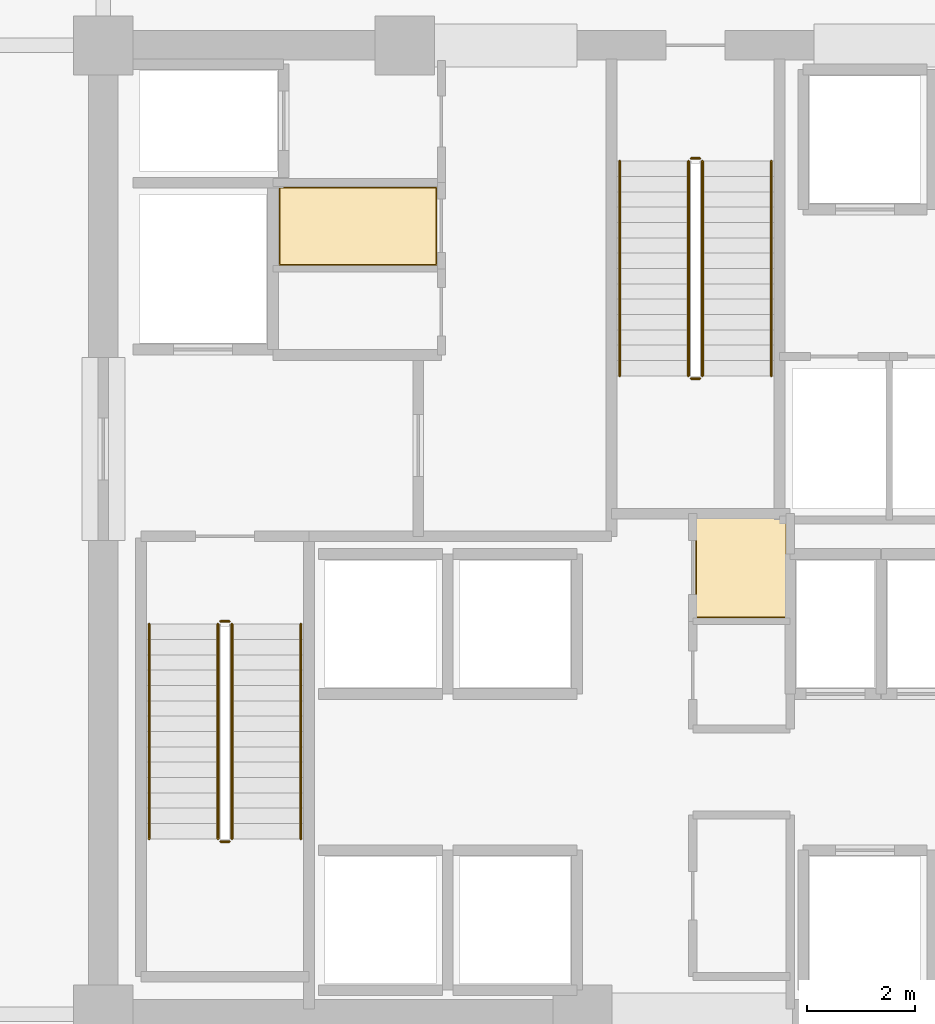
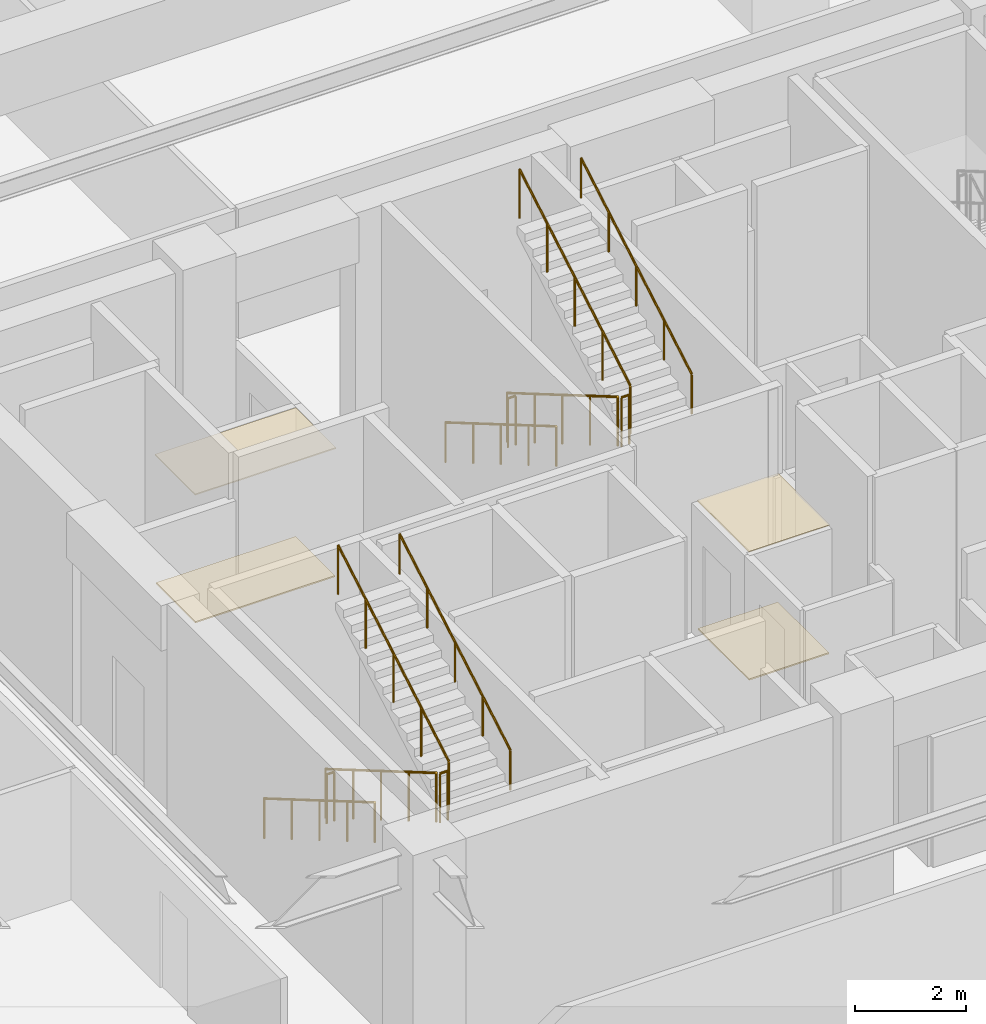
# One storey, part 17 of 20: 12 railings, 4 coverings.
"""IFC4 building model written with IfcOpenShell, lengths in metres."""

from ifc_helpers import new_model, si_unit, direction, frame, origin, origin_2d, place, context, subcontext, project, spatial, polyline, circle, outline, extrude, material, layer, layer_set, type_object, element, save


model = new_model("IFC4")

# Units and contexts
model_context = context("Model", 3, precision=1e-05, world=origin(), true_north=direction((0.0, 1.0)))
body_context = subcontext(model_context, "Body", "Model", "MODEL_VIEW")
ifc_project = project(units=[si_unit("LENGTHUNIT", "METRE"), si_unit("AREAUNIT", "SQUARE_METRE"), si_unit("VOLUMEUNIT", "CUBIC_METRE"), si_unit("PLANEANGLEUNIT", "RADIAN"), si_unit("MASSUNIT", "GRAM", prefix="KILO")], contexts=[model_context])

# Site, building, storey
site_placement = place(None, origin())
site = spatial("IfcSite", under=ifc_project, at=site_placement, CompositionType="ELEMENT")
building_placement = place(site_placement, origin())
building = spatial("IfcBuilding", under=site, at=building_placement, Name="Kovane Verandah Tower", CompositionType="ELEMENT")
storey_placement = place(building_placement, frame((0.0, 0.0, 123.39990234375)))
storey = spatial("IfcBuildingStorey", under=building, at=storey_placement, Name="L28", CompositionType="ELEMENT", Elevation=123.39990234375)

# Coverings
ifc_material_1 = material(Name="Perforated Acoustic Mineral-Fibre Ceiling Tile", Category="gypsum")
ifc_layer_1 = layer(ifc_material_1, 0.02490234375)
ifc_layer_set_1 = layer_set([ifc_layer_1], Name="Perforated Acoustic Mineral-Fibre Ceiling Tile")
covering_type_1 = type_object("IfcCoveringType", Name="CV-CEIL-25", PredefinedType="CEILING", material=ifc_layer_set_1)
covering_1_placement = place(storey_placement, frame((0.0, 0.0, 2.8251953125)))
element("IfcCovering", 1, at=covering_1_placement, inside=storey, type_object=covering_type_1, Name="L28 North-West First Aid Room Acoustic Ceiling", PredefinedType="CEILING", context=body_context, shape_type="SweptSolid", body=[
    extrude(outline(polyline([(32.264892578125, 32.4150390625), (35.195068359375, 32.4150390625), (35.195068359375, 33.864990234375), (32.264892578125, 33.864990234375), (32.264892578125, 32.4150390625)])), origin(), (0.0, 0.0, 1.0), 0.02490234375),
])
covering_2_placement = place(storey_placement, frame((0.0, 0.0, 2.8251953125)))
element("IfcCovering", 2, at=covering_2_placement, inside=storey, type_object=covering_type_1, Name="L28 Central First Aid and Wellness Room Acoustic Ceiling", PredefinedType="CEILING", context=body_context, shape_type="SweptSolid", body=[
    extrude(outline(polyline([(40.0048828125, 25.864990234375), (41.695068359375, 25.864990234375), (41.695068359375, 27.735107421875), (40.0048828125, 27.735107421875), (40.0048828125, 25.864990234375)])), origin(), (0.0, 0.0, 1.0), 0.02490234375),
])
ifc_material_2 = material(Name="Polished Terrazzo and Raised-Access Carpet Tile Finish", Category="concrete")
ifc_layer_2 = layer(ifc_material_2, 0.030029296875)
ifc_layer_set_2 = layer_set([ifc_layer_2], Name="Polished Terrazzo and Raised-Access Carpet Tile Finish")
covering_type_2 = type_object("IfcCoveringType", Name="CV-FLOR-30", PredefinedType="FLOORING", material=ifc_layer_set_2)
covering_3_placement = place(storey_placement, origin())
element("IfcCovering", 3, at=covering_3_placement, inside=storey, type_object=covering_type_2, Name="L28 North-West First Aid Room Floor Finish", PredefinedType="FLOORING", context=body_context, shape_type="SweptSolid", body=[
    extrude(outline(polyline([(32.280029296875, 32.429931640625), (35.179931640625, 32.429931640625), (35.179931640625, 33.85009765625), (32.280029296875, 33.85009765625), (32.280029296875, 32.429931640625)])), origin(), (0.0, 0.0, 1.0), 0.030029296875),
])
covering_4_placement = place(storey_placement, origin())
element("IfcCovering", 4, at=covering_4_placement, inside=storey, type_object=covering_type_2, Name="L28 Central First Aid and Wellness Room Floor Finish", PredefinedType="FLOORING", context=body_context, shape_type="SweptSolid", body=[
    extrude(outline(polyline([(40.02001953125, 25.8798828125), (41.679931640625, 25.8798828125), (41.679931640625, 27.719970703125), (40.02001953125, 27.719970703125), (40.02001953125, 25.8798828125)])), origin(), (0.0, 0.0, 1.0), 0.030029296875),
])

# Railings
ifc_material_3 = material(Name="Brushed Stainless Steel Handrail", Category="steel")
railing_type_1 = type_object("IfcRailingType", Name="RL-HAND-920", PredefinedType="HANDRAIL", material=ifc_material_3)
railing_1_placement = place(storey_placement, frame((29.85009765625, 25.75, 0.166748046875)))
element("IfcRailing", 5, at=railing_1_placement, inside=storey, type_object=railing_type_1, Name="L28 ST-01 stair handrail 1", PredefinedType="HANDRAIL", context=body_context, shape_type="SweptSolid", body=[
    extrude(circle(Radius=0.02392578125, at=origin_2d()), frame((0.0, 0.0, 0.8759765625), z_axis=(0.0, -0.863236243904, 0.504800145811), x_axis=(1.0, 0.0, 0.0)), (0.0, 0.0, 1.0), 4.6220703125),
    extrude(circle(Radius=0.02099609375, at=origin_2d()), origin(), (0.0, 0.0, 1.0), 0.851806640625),
    extrude(circle(Radius=0.02099609375, at=origin_2d()), frame((0.0, -0.99755859375, 0.583251953125)), (0.0, 0.0, 1.0), 0.851806640625),
    extrude(circle(Radius=0.02099609375, at=origin_2d()), frame((0.0, -1.9951171875, 1.16650390625)), (0.0, 0.0, 1.0), 0.851806640625),
    extrude(circle(Radius=0.02099609375, at=origin_2d()), frame((0.0, -2.992431640625, 1.75)), (0.0, 0.0, 1.0), 0.851806640625),
    extrude(circle(Radius=0.02099609375, at=origin_2d()), frame((0.0, -3.989990234375, 2.333251953125)), (0.0, 0.0, 1.0), 0.851806640625),
])
railing_2_placement = place(storey_placement, frame((32.669921875, 21.760009765625, 2.666748046875)))
element("IfcRailing", 6, at=railing_2_placement, inside=storey, type_object=railing_type_1, Name="L28 ST-01 stair handrail 2", PredefinedType="HANDRAIL", context=body_context, shape_type="SweptSolid", body=[
    extrude(circle(Radius=0.02392578125, at=origin_2d()), frame((0.0, 0.0, 0.8759765625), z_axis=(0.0, 0.863236243904, 0.504800145811), x_axis=(-1.0, 0.0, 0.0)), (0.0, 0.0, 1.0), 4.6220703125),
    extrude(circle(Radius=0.02099609375, at=origin_2d()), origin(), (0.0, 0.0, 1.0), 0.851806640625),
    extrude(circle(Radius=0.02099609375, at=origin_2d()), frame((0.0, 0.99755859375, 0.583251953125)), (0.0, 0.0, 1.0), 0.851806640625),
    extrude(circle(Radius=0.02099609375, at=origin_2d()), frame((0.0, 1.9951171875, 1.16650390625)), (0.0, 0.0, 1.0), 0.851806640625),
    extrude(circle(Radius=0.02099609375, at=origin_2d()), frame((0.0, 2.992431640625, 1.75)), (0.0, 0.0, 1.0), 0.851806640625),
    extrude(circle(Radius=0.02099609375, at=origin_2d()), frame((0.0, 3.989990234375, 2.333251953125)), (0.0, 0.0, 1.0), 0.851806640625),
])
railing_3_placement = place(storey_placement, frame((38.590087890625, 34.35009765625, 0.166748046875)))
element("IfcRailing", 7, at=railing_3_placement, inside=storey, type_object=railing_type_1, Name="L28 ST-03 stair handrail 1", PredefinedType="HANDRAIL", context=body_context, shape_type="SweptSolid", body=[
    extrude(circle(Radius=0.02392578125, at=origin_2d()), frame((0.0, 0.0, 0.8759765625), z_axis=(0.0, -0.863236243904, 0.504800145811), x_axis=(1.0, 0.0, 0.0)), (0.0, 0.0, 1.0), 4.6220703125),
    extrude(circle(Radius=0.02099609375, at=origin_2d()), origin(), (0.0, 0.0, 1.0), 0.851806640625),
    extrude(circle(Radius=0.02099609375, at=origin_2d()), frame((0.0, -0.99755859375, 0.583251953125)), (0.0, 0.0, 1.0), 0.851806640625),
    extrude(circle(Radius=0.02099609375, at=origin_2d()), frame((0.0, -1.9951171875, 1.16650390625)), (0.0, 0.0, 1.0), 0.851806640625),
    extrude(circle(Radius=0.02099609375, at=origin_2d()), frame((0.0, -2.992431640625, 1.75)), (0.0, 0.0, 1.0), 0.851806640625),
    extrude(circle(Radius=0.02099609375, at=origin_2d()), frame((0.0, -3.989990234375, 2.333251953125)), (0.0, 0.0, 1.0), 0.851806640625),
])
railing_4_placement = place(storey_placement, frame((41.409912109375, 30.360107421875, 2.666748046875)))
element("IfcRailing", 8, at=railing_4_placement, inside=storey, type_object=railing_type_1, Name="L28 ST-03 stair handrail 2", PredefinedType="HANDRAIL", context=body_context, shape_type="SweptSolid", body=[
    extrude(circle(Radius=0.02392578125, at=origin_2d()), frame((0.0, 0.0, 0.8759765625), z_axis=(0.0, 0.863236243904, 0.504800145811), x_axis=(-1.0, 0.0, 0.0)), (0.0, 0.0, 1.0), 4.6220703125),
    extrude(circle(Radius=0.02099609375, at=origin_2d()), origin(), (0.0, 0.0, 1.0), 0.851806640625),
    extrude(circle(Radius=0.02099609375, at=origin_2d()), frame((0.0, 0.99755859375, 0.583251953125)), (0.0, 0.0, 1.0), 0.851806640625),
    extrude(circle(Radius=0.02099609375, at=origin_2d()), frame((0.0, 1.9951171875, 1.16650390625)), (0.0, 0.0, 1.0), 0.851806640625),
    extrude(circle(Radius=0.02099609375, at=origin_2d()), frame((0.0, 2.992431640625, 1.75)), (0.0, 0.0, 1.0), 0.851806640625),
    extrude(circle(Radius=0.02099609375, at=origin_2d()), frame((0.0, 3.989990234375, 2.333251953125)), (0.0, 0.0, 1.0), 0.851806640625),
])
ifc_material_4 = material(Name="Painted Steel Stairwell Guardrail", Category="steel")
railing_type_2 = type_object("IfcRailingType", Name="RL-STGUARD-1120", PredefinedType="GUARDRAIL", material=ifc_material_4)
railing_5_placement = place(storey_placement, frame((31.1298828125, 25.75, 0.166748046875)))
element("IfcRailing", 9, at=railing_5_placement, inside=storey, type_object=railing_type_2, Name="L28 ST-01 stair guard 1", PredefinedType="GUARDRAIL", context=body_context, shape_type="SweptSolid", body=[
    extrude(circle(Radius=0.02392578125, at=origin_2d()), frame((0.0, 0.0, 1.076171875), z_axis=(0.0, -0.863236243904, 0.504800145811), x_axis=(1.0, 0.0, 0.0)), (0.0, 0.0, 1.0), 4.6220703125),
    extrude(circle(Radius=0.02099609375, at=origin_2d()), origin(), (0.0, 0.0, 1.0), 1.052001953125),
    extrude(circle(Radius=0.02099609375, at=origin_2d()), frame((0.0, -0.99755859375, 0.583251953125)), (0.0, 0.0, 1.0), 1.052001953125),
    extrude(circle(Radius=0.02099609375, at=origin_2d()), frame((0.0, -1.9951171875, 1.16650390625)), (0.0, 0.0, 1.0), 1.052001953125),
    extrude(circle(Radius=0.02099609375, at=origin_2d()), frame((0.0, -2.992431640625, 1.75)), (0.0, 0.0, 1.0), 1.052001953125),
    extrude(circle(Radius=0.02099609375, at=origin_2d()), frame((0.0, -3.989990234375, 2.333251953125)), (0.0, 0.0, 1.0), 1.052001953125),
])
railing_6_placement = place(storey_placement, frame((31.179931640625, 21.7099609375, 2.5)))
element("IfcRailing", 10, at=railing_6_placement, inside=storey, type_object=railing_type_2, Name="L28 ST-01 stair guard 2", PredefinedType="GUARDRAIL", context=body_context, shape_type="SweptSolid", body=[
    extrude(circle(Radius=0.02392578125, at=origin_2d()), frame((0.0, 0.0, 1.076171875), z_axis=(1.0, 0.0, 0.0), x_axis=(0.0, 1.0, 0.0)), (0.0, 0.0, 1.0), 0.16015625),
    extrude(circle(Radius=0.02099609375, at=origin_2d()), origin(), (0.0, 0.0, 1.0), 1.052001953125),
    extrude(circle(Radius=0.02099609375, at=origin_2d()), frame((0.16015625, 0.0, 0.0)), (0.0, 0.0, 1.0), 1.052001953125),
])
railing_7_placement = place(storey_placement, frame((31.389892578125, 21.760009765625, 2.666748046875)))
element("IfcRailing", 11, at=railing_7_placement, inside=storey, type_object=railing_type_2, Name="L28 ST-01 stair guard 3", PredefinedType="GUARDRAIL", context=body_context, shape_type="SweptSolid", body=[
    extrude(circle(Radius=0.02392578125, at=origin_2d()), frame((0.0, 0.0, 1.076171875), z_axis=(0.0, 0.863236243904, 0.504800145811), x_axis=(-1.0, 0.0, 0.0)), (0.0, 0.0, 1.0), 4.6220703125),
    extrude(circle(Radius=0.02099609375, at=origin_2d()), origin(), (0.0, 0.0, 1.0), 1.052001953125),
    extrude(circle(Radius=0.02099609375, at=origin_2d()), frame((0.0, 0.99755859375, 0.583251953125)), (0.0, 0.0, 1.0), 1.052001953125),
    extrude(circle(Radius=0.02099609375, at=origin_2d()), frame((0.0, 1.9951171875, 1.16650390625)), (0.0, 0.0, 1.0), 1.052001953125),
    extrude(circle(Radius=0.02099609375, at=origin_2d()), frame((0.0, 2.992431640625, 1.75)), (0.0, 0.0, 1.0), 1.052001953125),
    extrude(circle(Radius=0.02099609375, at=origin_2d()), frame((0.0, 3.989990234375, 2.333251953125)), (0.0, 0.0, 1.0), 1.052001953125),
])
railing_8_placement = place(storey_placement, frame((31.179931640625, 25.800048828125, 0.0)))
element("IfcRailing", 12, at=railing_8_placement, inside=storey, type_object=railing_type_2, Name="L28 ST-01 stair guard 4", PredefinedType="GUARDRAIL", context=body_context, shape_type="SweptSolid", body=[
    extrude(circle(Radius=0.02392578125, at=origin_2d()), frame((0.0, 0.0, 1.076171875), z_axis=(1.0, 0.0, 0.0), x_axis=(0.0, 1.0, 0.0)), (0.0, 0.0, 1.0), 0.16015625),
    extrude(circle(Radius=0.02099609375, at=origin_2d()), origin(), (0.0, 0.0, 1.0), 1.052001953125),
    extrude(circle(Radius=0.02099609375, at=origin_2d()), frame((0.16015625, 0.0, 0.0)), (0.0, 0.0, 1.0), 1.052001953125),
])
railing_9_placement = place(storey_placement, frame((39.8701171875, 34.35009765625, 0.166748046875)))
element("IfcRailing", 13, at=railing_9_placement, inside=storey, type_object=railing_type_2, Name="L28 ST-03 stair guard 1", PredefinedType="GUARDRAIL", context=body_context, shape_type="SweptSolid", body=[
    extrude(circle(Radius=0.02392578125, at=origin_2d()), frame((0.0, 0.0, 1.076171875), z_axis=(0.0, -0.863236243904, 0.504800145811), x_axis=(1.0, 0.0, 0.0)), (0.0, 0.0, 1.0), 4.6220703125),
    extrude(circle(Radius=0.02099609375, at=origin_2d()), origin(), (0.0, 0.0, 1.0), 1.052001953125),
    extrude(circle(Radius=0.02099609375, at=origin_2d()), frame((0.0, -0.99755859375, 0.583251953125)), (0.0, 0.0, 1.0), 1.052001953125),
    extrude(circle(Radius=0.02099609375, at=origin_2d()), frame((0.0, -1.9951171875, 1.16650390625)), (0.0, 0.0, 1.0), 1.052001953125),
    extrude(circle(Radius=0.02099609375, at=origin_2d()), frame((0.0, -2.992431640625, 1.75)), (0.0, 0.0, 1.0), 1.052001953125),
    extrude(circle(Radius=0.02099609375, at=origin_2d()), frame((0.0, -3.989990234375, 2.333251953125)), (0.0, 0.0, 1.0), 1.052001953125),
])
railing_10_placement = place(storey_placement, frame((39.919921875, 30.31005859375, 2.5)))
element("IfcRailing", 14, at=railing_10_placement, inside=storey, type_object=railing_type_2, Name="L28 ST-03 stair guard 2", PredefinedType="GUARDRAIL", context=body_context, shape_type="SweptSolid", body=[
    extrude(circle(Radius=0.02392578125, at=origin_2d()), frame((0.0, 0.0, 1.076171875), z_axis=(1.0, 0.0, 0.0), x_axis=(0.0, 1.0, 0.0)), (0.0, 0.0, 1.0), 0.16015625),
    extrude(circle(Radius=0.02099609375, at=origin_2d()), origin(), (0.0, 0.0, 1.0), 1.052001953125),
    extrude(circle(Radius=0.02099609375, at=origin_2d()), frame((0.16015625, 0.0, 0.0)), (0.0, 0.0, 1.0), 1.052001953125),
])
railing_11_placement = place(storey_placement, frame((40.1298828125, 30.360107421875, 2.666748046875)))
element("IfcRailing", 15, at=railing_11_placement, inside=storey, type_object=railing_type_2, Name="L28 ST-03 stair guard 3", PredefinedType="GUARDRAIL", context=body_context, shape_type="SweptSolid", body=[
    extrude(circle(Radius=0.02392578125, at=origin_2d()), frame((0.0, 0.0, 1.076171875), z_axis=(0.0, 0.863236243904, 0.504800145811), x_axis=(-1.0, 0.0, 0.0)), (0.0, 0.0, 1.0), 4.6220703125),
    extrude(circle(Radius=0.02099609375, at=origin_2d()), origin(), (0.0, 0.0, 1.0), 1.052001953125),
    extrude(circle(Radius=0.02099609375, at=origin_2d()), frame((0.0, 0.99755859375, 0.583251953125)), (0.0, 0.0, 1.0), 1.052001953125),
    extrude(circle(Radius=0.02099609375, at=origin_2d()), frame((0.0, 1.9951171875, 1.16650390625)), (0.0, 0.0, 1.0), 1.052001953125),
    extrude(circle(Radius=0.02099609375, at=origin_2d()), frame((0.0, 2.992431640625, 1.75)), (0.0, 0.0, 1.0), 1.052001953125),
    extrude(circle(Radius=0.02099609375, at=origin_2d()), frame((0.0, 3.989990234375, 2.333251953125)), (0.0, 0.0, 1.0), 1.052001953125),
])
railing_12_placement = place(storey_placement, frame((39.919921875, 34.39990234375, 0.0)))
element("IfcRailing", 16, at=railing_12_placement, inside=storey, type_object=railing_type_2, Name="L28 ST-03 stair guard 4", PredefinedType="GUARDRAIL", context=body_context, shape_type="SweptSolid", body=[
    extrude(circle(Radius=0.02392578125, at=origin_2d()), frame((0.0, 0.0, 1.076171875), z_axis=(1.0, 0.0, 0.0), x_axis=(0.0, 1.0, 0.0)), (0.0, 0.0, 1.0), 0.16015625),
    extrude(circle(Radius=0.02099609375, at=origin_2d()), origin(), (0.0, 0.0, 1.0), 1.052001953125),
    extrude(circle(Radius=0.02099609375, at=origin_2d()), frame((0.16015625, 0.0, 0.0)), (0.0, 0.0, 1.0), 1.052001953125),
])

save(model, "model.ifc")
